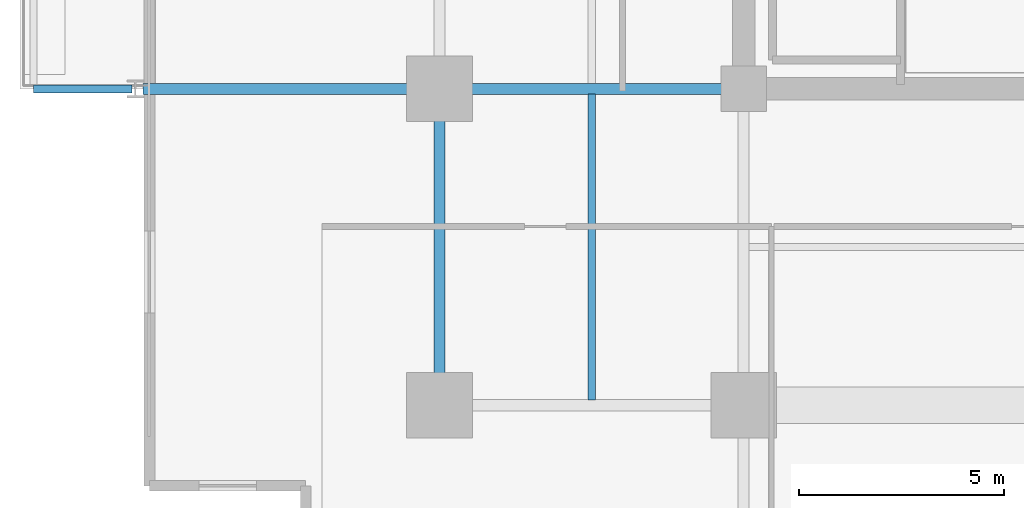
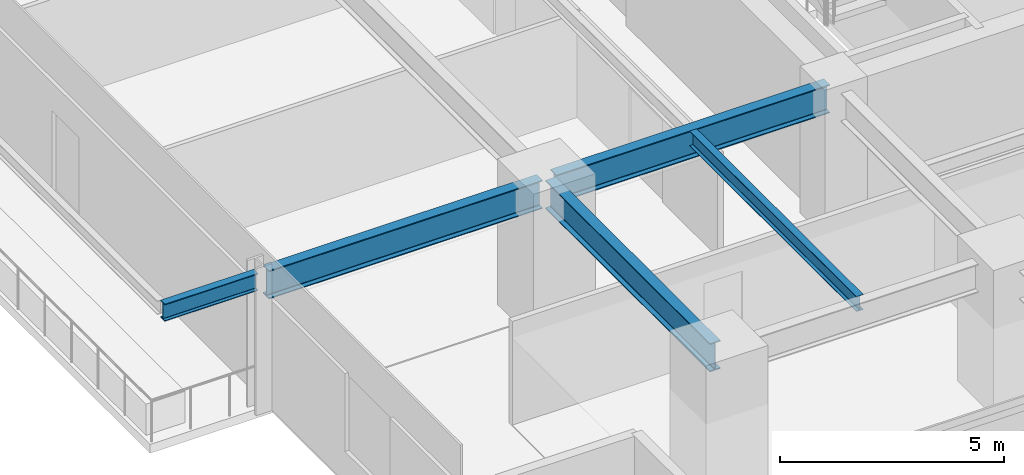
# One storey, part 3 of 20: 5 beams.
"""IFC4 building model written with IfcOpenShell, lengths in metres."""

from ifc_helpers import new_model, si_unit, direction, frame, origin, origin_2d, place, context, subcontext, project, spatial, i_section, extrude, material, material_profile, profile_set, type_object, element, save


model = new_model("IFC4")

# Units and contexts
model_context = context("Model", 3, precision=1e-05, world=origin(), true_north=direction((0.0, 1.0)))
body_context = subcontext(model_context, "Body", "Model", "MODEL_VIEW")
ifc_project = project(units=[si_unit("LENGTHUNIT", "METRE"), si_unit("AREAUNIT", "SQUARE_METRE"), si_unit("VOLUMEUNIT", "CUBIC_METRE"), si_unit("PLANEANGLEUNIT", "RADIAN"), si_unit("MASSUNIT", "GRAM", prefix="KILO")], contexts=[model_context])

# Site, building, storey
site_placement = place(None, origin())
site = spatial("IfcSite", under=ifc_project, at=site_placement, CompositionType="ELEMENT")
building_placement = place(site_placement, origin())
building = spatial("IfcBuilding", under=site, at=building_placement, Name="Kovane Verandah Tower", CompositionType="ELEMENT")
storey_placement = place(building_placement, frame((0.0, 0.0, 160.39990234375)))
storey = spatial("IfcBuildingStorey", under=building, at=storey_placement, Name="L37", CompositionType="ELEMENT", Elevation=160.39990234375)

# Beams
ifc_material = material(Name="Steel S355", Category="steel")
ifc_material_profile_1 = material_profile(ifc_material, i_section(OverallWidth=0.26806640625, OverallDepth=0.769775390625, WebThickness=0.015625, FlangeThickness=0.025390625, FilletRadius=0.0166015625, at=origin_2d()), Name="UB762x267x197")
ifc_profile_set_1 = profile_set([ifc_material_profile_1], Name="Steel S355")
beam_type_1 = type_object("IfcBeamType", Name="BM-UB762x197", PredefinedType="BEAM", material=ifc_profile_set_1)
beam_1_placement = place(storey_placement, frame((21.60009765625, 10.97998046875, 3.39013671875), z_axis=(0.0, 1.0, 0.0), x_axis=(-1.0, 0.0, 0.0)))
element("IfcBeam", 1, at=beam_1_placement, inside=storey, type_object=beam_type_1, Name="L37 Primary Tower Girder G-RW1", PredefinedType="BEAM", context=body_context, shape_type="SweptSolid", body=[
    extrude(i_section(OverallWidth=0.26806640625, OverallDepth=0.769775390625, WebThickness=0.015625, FlangeThickness=0.025390625, FilletRadius=0.0166015625, at=origin_2d()), origin(), (0.0, 0.0, 1.0), 7.340087890625),
])
for number, where, z_axis, x_axis, name in (
    (2, (28.820068359375, 18.5, 3.39013671875), (-1.0, 0.0, 0.0), (0.0, -1.0, 0.0), "L37 Primary Tower Girder G-W1"),
    (3, (21.419921875, 18.5, 3.375244140625), (-1.0, 0.0, 0.0), (0.0, -1.0, 0.0), "L37 Primary Tower Girder G-VW1"),
):
    element("IfcBeam", number, at=place(storey_placement, frame(where, z_axis=z_axis, x_axis=x_axis)), inside=storey, type_object=beam_type_1, Name=name, PredefinedType="BEAM", context=body_context, shape_type="SweptSolid", body=[
        extrude(i_section(OverallWidth=0.26806640625, OverallDepth=0.769775390625, WebThickness=0.015625, FlangeThickness=0.025390625, FilletRadius=0.0166015625, at=origin_2d()), origin(), (0.0, 0.0, 1.0), 7.0400390625),
    ])
ifc_material_profile_2 = material_profile(ifc_material, i_section(OverallWidth=0.179443359375, OverallDepth=0.412841796875, WebThickness=0.009521484375, FlangeThickness=0.01611328125, FilletRadius=0.01025390625, at=origin_2d()), Name="UB406x178x74")
ifc_profile_set_2 = profile_set([ifc_material_profile_2], Name="Steel S355")
beam_type_2 = type_object("IfcBeamType", Name="JST-UB406x74", PredefinedType="JOIST", material=ifc_profile_set_2)
beam_2_placement = place(storey_placement, frame((25.300048828125, 10.931884765625, 3.568603515625), z_axis=(0.0, 1.0, 0.0), x_axis=(-1.0, 0.0, 0.0)))
element("IfcBeam", 4, at=beam_2_placement, inside=storey, type_object=beam_type_2, Name="L37 Secondary Composite Joist J-SW1", PredefinedType="JOIST", context=body_context, shape_type="SweptSolid", body=[
    extrude(i_section(OverallWidth=0.179443359375, OverallDepth=0.412841796875, WebThickness=0.009521484375, FlangeThickness=0.01611328125, FilletRadius=0.01025390625, at=origin_2d()), origin(), (0.0, 0.0, 1.0), 7.43603515625),
])
ifc_material_profile_3 = material_profile(ifc_material, i_section(OverallWidth=0.19287109375, OverallDepth=0.46728515625, WebThickness=0.011474609375, FlangeThickness=0.01953125, FilletRadius=0.01025390625, at=origin_2d()), Name="UB457x191x98")
ifc_profile_set_3 = profile_set([ifc_material_profile_3], Name="Steel S355")
beam_type_3 = type_object("IfcBeamType", Name="JST-UB457x98", PredefinedType="JOIST", material=ifc_profile_set_3)
beam_3_placement = place(storey_placement, frame((14.1201171875, 18.5, 3.526611328125), z_axis=(-1.0, 0.0, 0.0), x_axis=(0.0, -1.0, 0.0)))
element("IfcBeam", 5, at=beam_3_placement, inside=storey, type_object=beam_type_3, Name="L37 West Planter Girder 1", PredefinedType="JOIST", context=body_context, shape_type="SweptSolid", body=[
    extrude(i_section(OverallWidth=0.19287109375, OverallDepth=0.46728515625, WebThickness=0.011474609375, FlangeThickness=0.01953125, FilletRadius=0.01025390625, at=origin_2d()), origin(), (0.0, 0.0, 1.0), 2.403076171875),
])

save(model, "model.ifc")
